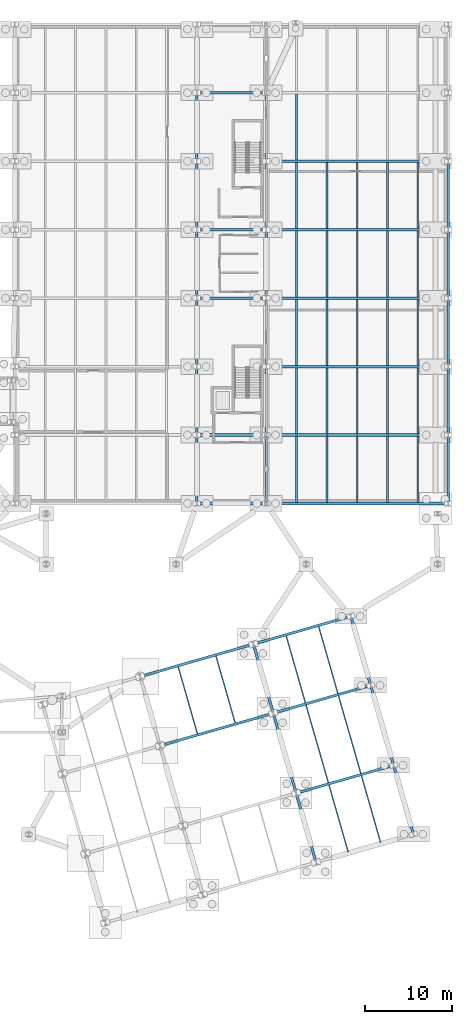
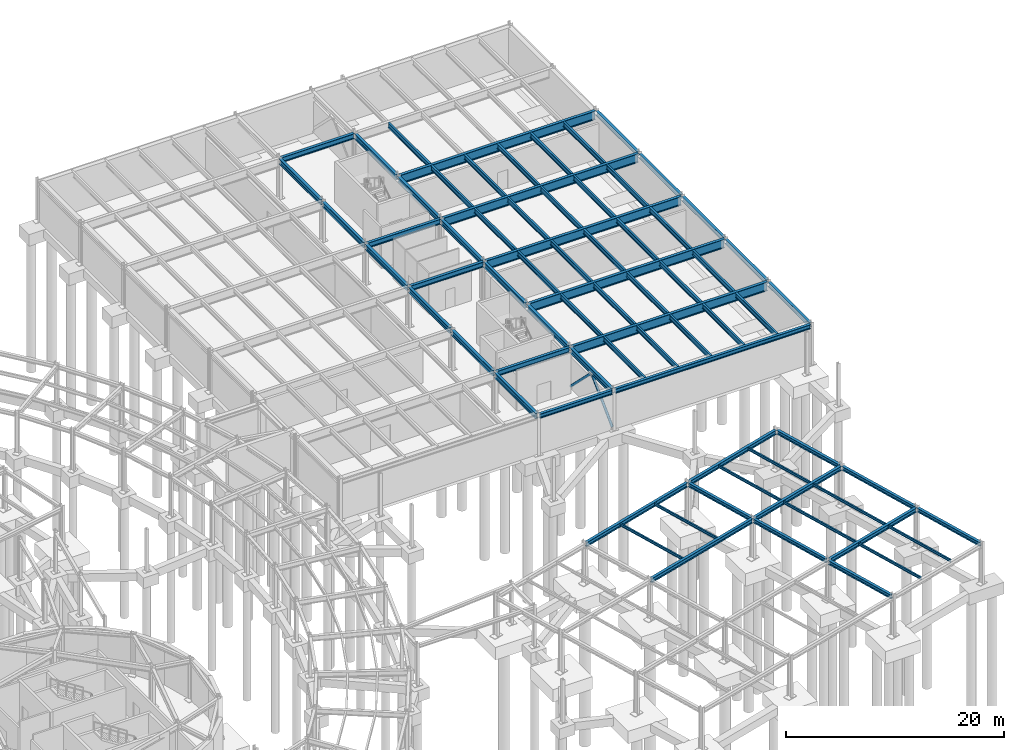
# One storey, part 36 of 50: 73 beams, 2 members.
"""IFC4 building model written with IfcOpenShell, lengths in metres."""

from ifc_helpers import new_model, si_unit, direction, frame, origin, origin_2d, place, context, subcontext, project, spatial, hollow_circle, i_section, extrude, material, material_profile, profile_set, type_object, element, save


model = new_model("IFC4")

# Units and contexts
model_context = context("Model", 3, precision=1e-05, world=origin(), true_north=direction((0.0, 1.0)))
body_context = subcontext(model_context, "Body", "Model", "MODEL_VIEW")
ifc_project = project(units=[si_unit("LENGTHUNIT", "METRE"), si_unit("AREAUNIT", "SQUARE_METRE"), si_unit("VOLUMEUNIT", "CUBIC_METRE"), si_unit("PLANEANGLEUNIT", "RADIAN"), si_unit("MASSUNIT", "GRAM", prefix="KILO")], contexts=[model_context])

# Site, building, storey
site_placement = place(None, origin())
site = spatial("IfcSite", under=ifc_project, at=site_placement, CompositionType="ELEMENT")
building_placement = place(site_placement, origin())
building = spatial("IfcBuilding", under=site, at=building_placement, Name="Varnklinge Art Gallery", CompositionType="ELEMENT")
storey_placement = place(building_placement, frame((0.0, 0.0, -4.800048828125)))
storey = spatial("IfcBuildingStorey", under=building, at=storey_placement, Name="B01", CompositionType="ELEMENT", Elevation=-4.800048828125)

# Beams
ifc_material_1 = material(Name="Steel S355", Category="steel")
ifc_material_profile_1 = material_profile(ifc_material_1, i_section(OverallWidth=0.300048828125, OverallDepth=1.0, WebThickness=0.01904296875, FlangeThickness=0.035888671875, FilletRadius=0.030029296875, at=origin_2d()), Name="HEB 1000")
ifc_profile_set_1 = profile_set([ifc_material_profile_1], Name="Steel S355")
beam_type_1 = type_object("IfcBeamType", Name="BM-01", PredefinedType="BEAM", material=ifc_profile_set_1)
for number, where, z_axis, x_axis, name in (
    (1, (143.5400390625, 66.10009765625, 4.050048828125), (1.0, 0.0, 0.0), (0.0, 1.0, 0.0), "B01 BM-01 BM-V1-L00-X1-2"),
    (2, (143.5400390625, 74.0, 4.050048828125), (1.0, 0.0, 0.0), (0.0, 1.0, 0.0), "B01 BM-01 BM-V1-L00-X2-2"),
    (3, (143.5400390625, 81.89990234375, 4.050048828125), (1.0, 0.0, 0.0), (0.0, 1.0, 0.0), "B01 BM-01 BM-V1-L00-X3-2"),
    (4, (143.5400390625, 89.800048828125, 4.050048828125), (1.0, 0.0, 0.0), (0.0, 1.0, 0.0), "B01 BM-01 BM-V1-L00-X4-2"),
    (5, (143.5400390625, 97.699951171875, 4.050048828125), (1.0, 0.0, 0.0), (0.0, 1.0, 0.0), "B01 BM-01 BM-V1-L00-X5-2"),
):
    element("IfcBeam", number, at=place(storey_placement, frame(where, z_axis=z_axis, x_axis=x_axis)), inside=storey, type_object=beam_type_1, Name=name, PredefinedType="BEAM", context=body_context, shape_type="SweptSolid", body=[
        extrude(i_section(OverallWidth=0.300048828125, OverallDepth=1.0, WebThickness=0.01904296875, FlangeThickness=0.035888671875, FilletRadius=0.030029296875, at=origin_2d()), origin(), (0.0, 0.0, 1.0), 20.719970703125),
    ])
ifc_material_2 = material(Name="Steel S355", Category="steel")
ifc_material_profile_2 = material_profile(ifc_material_2, i_section(OverallWidth=0.300048828125, OverallDepth=0.60009765625, WebThickness=0.015380859375, FlangeThickness=0.030029296875, FilletRadius=0.027099609375, at=origin_2d()), Name="HEB 600")
ifc_profile_set_2 = profile_set([ifc_material_profile_2], Name="Steel S355")
beam_type_2 = type_object("IfcBeamType", Name="BM-05", PredefinedType="BEAM", material=ifc_profile_set_2)
beam_1_placement = place(storey_placement, frame((135.39990234375, 58.340087890625, 4.25), z_axis=(0.0, 1.0, 0.0), x_axis=(-1.0, 0.0, 0.0)))
element("IfcBeam", 6, at=beam_1_placement, inside=storey, type_object=beam_type_2, Name="B01 BM-05 BM-V1-L00-Y1-0", PredefinedType="BEAM", context=body_context, shape_type="SweptSolid", body=[
    extrude(i_section(OverallWidth=0.300048828125, OverallDepth=0.60009765625, WebThickness=0.015380859375, FlangeThickness=0.030029296875, FilletRadius=0.027099609375, at=origin_2d()), origin(), (0.0, 0.0, 1.0), 7.619873046875),
])
for number, where, z_axis, x_axis, name in (
    (7, (135.39990234375, 66.239990234375, 4.25), (0.0, 1.0, 0.0), (-1.0, 0.0, 0.0), "B01 BM-05 BM-V1-L00-Y1-1"),
    (8, (135.39990234375, 74.139892578125, 4.25), (0.0, 1.0, 0.0), (-1.0, 0.0, 0.0), "B01 BM-05 BM-V1-L00-Y1-2"),
):
    element("IfcBeam", number, at=place(storey_placement, frame(where, z_axis=z_axis, x_axis=x_axis)), inside=storey, type_object=beam_type_2, Name=name, PredefinedType="BEAM", context=body_context, shape_type="SweptSolid", body=[
        extrude(i_section(OverallWidth=0.300048828125, OverallDepth=0.60009765625, WebThickness=0.015380859375, FlangeThickness=0.030029296875, FilletRadius=0.027099609375, at=origin_2d()), origin(), (0.0, 0.0, 1.0), 7.6201171875),
    ])
beam_2_placement = place(storey_placement, frame((135.39990234375, 82.0400390625, 4.25), z_axis=(0.0, 1.0, 0.0), x_axis=(-1.0, 0.0, 0.0)))
element("IfcBeam", 9, at=beam_2_placement, inside=storey, type_object=beam_type_2, Name="B01 BM-05 BM-V1-L00-Y1-3", PredefinedType="BEAM", context=body_context, shape_type="SweptSolid", body=[
    extrude(i_section(OverallWidth=0.300048828125, OverallDepth=0.60009765625, WebThickness=0.015380859375, FlangeThickness=0.030029296875, FilletRadius=0.027099609375, at=origin_2d()), origin(), (0.0, 0.0, 1.0), 7.619873046875),
])
beam_3_placement = place(storey_placement, frame((135.39990234375, 89.93994140625, 4.25), z_axis=(0.0, 1.0, 0.0), x_axis=(-1.0, 0.0, 0.0)))
element("IfcBeam", 10, at=beam_3_placement, inside=storey, type_object=beam_type_2, Name="B01 BM-05 BM-V1-L00-Y1-4", PredefinedType="BEAM", context=body_context, shape_type="SweptSolid", body=[
    extrude(i_section(OverallWidth=0.300048828125, OverallDepth=0.60009765625, WebThickness=0.015380859375, FlangeThickness=0.030029296875, FilletRadius=0.027099609375, at=origin_2d()), origin(), (0.0, 0.0, 1.0), 7.6201171875),
])
for number, where, z_axis, x_axis, name in (
    (11, (135.39990234375, 97.840087890625, 4.25), (0.0, 1.0, 0.0), (-1.0, 0.0, 0.0), "B01 BM-05 BM-V1-L00-Y1-5"),
    (12, (143.39990234375, 58.340087890625, 4.25), (0.0, 1.0, 0.0), (-1.0, 0.0, 0.0), "B01 BM-05 BM-V1-L00-Y2-0"),
):
    element("IfcBeam", number, at=place(storey_placement, frame(where, z_axis=z_axis, x_axis=x_axis)), inside=storey, type_object=beam_type_2, Name=name, PredefinedType="BEAM", context=body_context, shape_type="SweptSolid", body=[
        extrude(i_section(OverallWidth=0.300048828125, OverallDepth=0.60009765625, WebThickness=0.015380859375, FlangeThickness=0.030029296875, FilletRadius=0.027099609375, at=origin_2d()), origin(), (0.0, 0.0, 1.0), 7.619873046875),
    ])
for number, where, z_axis, x_axis, name in (
    (13, (143.39990234375, 66.239990234375, 4.25), (0.0, 1.0, 0.0), (-1.0, 0.0, 0.0), "B01 BM-05 BM-V1-L00-Y2-1"),
    (14, (143.39990234375, 74.139892578125, 4.25), (0.0, 1.0, 0.0), (-1.0, 0.0, 0.0), "B01 BM-05 BM-V1-L00-Y2-2"),
):
    element("IfcBeam", number, at=place(storey_placement, frame(where, z_axis=z_axis, x_axis=x_axis)), inside=storey, type_object=beam_type_2, Name=name, PredefinedType="BEAM", context=body_context, shape_type="SweptSolid", body=[
        extrude(i_section(OverallWidth=0.300048828125, OverallDepth=0.60009765625, WebThickness=0.015380859375, FlangeThickness=0.030029296875, FilletRadius=0.027099609375, at=origin_2d()), origin(), (0.0, 0.0, 1.0), 7.6201171875),
    ])
beam_4_placement = place(storey_placement, frame((143.39990234375, 82.0400390625, 4.25), z_axis=(0.0, 1.0, 0.0), x_axis=(-1.0, 0.0, 0.0)))
element("IfcBeam", 15, at=beam_4_placement, inside=storey, type_object=beam_type_2, Name="B01 BM-05 BM-V1-L00-Y2-3", PredefinedType="BEAM", context=body_context, shape_type="SweptSolid", body=[
    extrude(i_section(OverallWidth=0.300048828125, OverallDepth=0.60009765625, WebThickness=0.015380859375, FlangeThickness=0.030029296875, FilletRadius=0.027099609375, at=origin_2d()), origin(), (0.0, 0.0, 1.0), 7.619873046875),
])
beam_5_placement = place(storey_placement, frame((143.39990234375, 89.93994140625, 4.25), z_axis=(0.0, 1.0, 0.0), x_axis=(-1.0, 0.0, 0.0)))
element("IfcBeam", 16, at=beam_5_placement, inside=storey, type_object=beam_type_2, Name="B01 BM-05 BM-V1-L00-Y2-4", PredefinedType="BEAM", context=body_context, shape_type="SweptSolid", body=[
    extrude(i_section(OverallWidth=0.300048828125, OverallDepth=0.60009765625, WebThickness=0.015380859375, FlangeThickness=0.030029296875, FilletRadius=0.027099609375, at=origin_2d()), origin(), (0.0, 0.0, 1.0), 7.6201171875),
])
beam_6_placement = place(storey_placement, frame((143.39990234375, 97.840087890625, 4.25), z_axis=(0.0, 1.0, 0.0), x_axis=(-1.0, 0.0, 0.0)))
element("IfcBeam", 17, at=beam_6_placement, inside=storey, type_object=beam_type_2, Name="B01 BM-05 BM-V1-L00-Y2-5", PredefinedType="BEAM", context=body_context, shape_type="SweptSolid", body=[
    extrude(i_section(OverallWidth=0.300048828125, OverallDepth=0.60009765625, WebThickness=0.015380859375, FlangeThickness=0.030029296875, FilletRadius=0.027099609375, at=origin_2d()), origin(), (0.0, 0.0, 1.0), 7.619873046875),
])
ifc_material_3 = material(Name="Steel S355", Category="steel")
ifc_material_profile_3 = material_profile(ifc_material_3, i_section(OverallWidth=0.300048828125, OverallDepth=0.590087890625, WebThickness=0.012939453125, FlangeThickness=0.02490234375, FilletRadius=0.027099609375, at=origin_2d()), Name="HEA 600")
ifc_profile_set_3 = profile_set([ifc_material_profile_3], Name="Steel S355")
beam_type_3 = type_object("IfcBeamType", Name="BM-06", PredefinedType="BEAM", material=ifc_profile_set_3)
for number, where, z_axis, x_axis, name in (
    (18, (135.5400390625, 66.10009765625, 4.255126953125), (1.0, 0.0, 0.0), (0.0, 1.0, 0.0), "B01 BM-06 BM-V1-L00-X1-1"),
    (19, (135.5400390625, 81.89990234375, 4.255126953125), (1.0, 0.0, 0.0), (0.0, 1.0, 0.0), "B01 BM-06 BM-V1-L00-X3-1"),
    (20, (135.5400390625, 89.800048828125, 4.255126953125), (1.0, 0.0, 0.0), (0.0, 1.0, 0.0), "B01 BM-06 BM-V1-L00-X4-1"),
    (21, (135.5400390625, 105.60009765625, 4.255126953125), (1.0, 0.0, 0.0), (0.0, 1.0, 0.0), "B01 BM-06 BM-V1-L00-X6-1"),
):
    element("IfcBeam", number, at=place(storey_placement, frame(where, z_axis=z_axis, x_axis=x_axis)), inside=storey, type_object=beam_type_3, Name=name, PredefinedType="BEAM", context=body_context, shape_type="SweptSolid", body=[
        extrude(i_section(OverallWidth=0.300048828125, OverallDepth=0.590087890625, WebThickness=0.012939453125, FlangeThickness=0.02490234375, FilletRadius=0.027099609375, at=origin_2d()), origin(), (0.0, 0.0, 1.0), 7.719970703125),
    ])
ifc_material_4 = material(Name="Steel S355", Category="steel")
ifc_material_profile_4 = material_profile(ifc_material_4, i_section(OverallWidth=0.300048828125, OverallDepth=0.489990234375, WebThickness=0.011962890625, FlangeThickness=0.02294921875, FilletRadius=0.027099609375, at=origin_2d()), Name="HEA 500")
ifc_profile_set_4 = profile_set([ifc_material_profile_4], Name="Steel S355")
beam_type_4 = type_object("IfcBeamType", Name="BM-07", PredefinedType="BEAM", material=ifc_profile_set_4)
beam_7_placement = place(storey_placement, frame((146.994140625, 24.798828125, 4.304931640625), z_axis=(0.961262939416, 0.275633019257, 0.0), x_axis=(-0.275633019257, 0.961262939416, 0.0)))
element("IfcBeam", 22, at=beam_7_placement, inside=storey, type_object=beam_type_4, Name="B01 BM-07 BM-V6-L00-U1-2", PredefinedType="BEAM", context=body_context, shape_type="SweptSolid", body=[
    extrude(i_section(OverallWidth=0.300048828125, OverallDepth=0.489990234375, WebThickness=0.011962890625, FlangeThickness=0.02294921875, FilletRadius=0.027099609375, at=origin_2d()), origin(), (0.0, 0.0, 1.0), 11.419921875),
])
beam_8_placement = place(storey_placement, frame((131.27490234375, 30.2783203125, 4.304931640625), z_axis=(0.961263452766, 0.275631228958, 0.0), x_axis=(-0.275631228958, 0.961263452766, 0.0)))
element("IfcBeam", 23, at=beam_8_placement, inside=storey, type_object=beam_type_4, Name="B01 BM-07 BM-V6-L00-U2-1", PredefinedType="BEAM", context=body_context, shape_type="SweptSolid", body=[
    extrude(i_section(OverallWidth=0.300048828125, OverallDepth=0.489990234375, WebThickness=0.011962890625, FlangeThickness=0.02294921875, FilletRadius=0.027099609375, at=origin_2d()), origin(), (0.0, 0.0, 1.0), 13.31982421875),
])
beam_9_placement = place(storey_placement, frame((144.34814453125, 34.027099609375, 4.304931640625), z_axis=(0.961262939416, 0.275633019257, 0.0), x_axis=(-0.275633019257, 0.961262939416, 0.0)))
element("IfcBeam", 24, at=beam_9_placement, inside=storey, type_object=beam_type_4, Name="B01 BM-07 BM-V6-L00-U2-2", PredefinedType="BEAM", context=body_context, shape_type="SweptSolid", body=[
    extrude(i_section(OverallWidth=0.300048828125, OverallDepth=0.489990234375, WebThickness=0.011962890625, FlangeThickness=0.02294921875, FilletRadius=0.027099609375, at=origin_2d()), origin(), (0.0, 0.0, 1.0), 11.419921875),
])
beam_10_placement = place(storey_placement, frame((128.9873046875, 38.2568359375, 4.304931640625), z_axis=(0.961262060229, 0.275636085381, 0.0), x_axis=(-0.275636085381, 0.961262060229, 0.0)))
element("IfcBeam", 25, at=beam_10_placement, inside=storey, type_object=beam_type_4, Name="B01 BM-07 BM-V6-L00-U3-1", PredefinedType="BEAM", context=body_context, shape_type="SweptSolid", body=[
    extrude(i_section(OverallWidth=0.300048828125, OverallDepth=0.489990234375, WebThickness=0.011962890625, FlangeThickness=0.02294921875, FilletRadius=0.027099609375, at=origin_2d()), origin(), (0.0, 0.0, 1.0), 13.319580078125),
])
beam_11_placement = place(storey_placement, frame((142.060302734375, 42.005615234375, 4.304931640625), z_axis=(0.961262939416, 0.275633019257, 0.0), x_axis=(-0.275633019257, 0.961262939416, 0.0)))
element("IfcBeam", 26, at=beam_11_placement, inside=storey, type_object=beam_type_4, Name="B01 BM-07 BM-V6-L00-U3-2", PredefinedType="BEAM", context=body_context, shape_type="SweptSolid", body=[
    extrude(i_section(OverallWidth=0.300048828125, OverallDepth=0.489990234375, WebThickness=0.011962890625, FlangeThickness=0.02294921875, FilletRadius=0.027099609375, at=origin_2d()), origin(), (0.0, 0.0, 1.0), 11.419921875),
])
ifc_material_5 = material(Name="Steel S355", Category="steel")
ifc_material_profile_5 = material_profile(ifc_material_5, i_section(OverallWidth=0.300048828125, OverallDepth=0.43994140625, WebThickness=0.011474609375, FlangeThickness=0.02099609375, FilletRadius=0.027099609375, at=origin_2d()), Name="HEA 450")
ifc_profile_set_5 = profile_set([ifc_material_profile_5], Name="Steel S355")
beam_type_5 = type_object("IfcBeamType", Name="BM-08", PredefinedType="BEAM", material=ifc_profile_set_5)
beam_12_placement = place(storey_placement, frame((149.10888671875, 16.91650390625, 4.330078125), z_axis=(-0.275649759333, 0.961258139201, 0.0), x_axis=(-0.961258139201, -0.275649759333, 0.0)))
element("IfcBeam", 27, at=beam_12_placement, inside=storey, type_object=beam_type_5, Name="B01 BM-08 BM-V6-L00-V2-0", PredefinedType="BEAM", context=body_context, shape_type="SweptSolid", body=[
    extrude(i_section(OverallWidth=0.300048828125, OverallDepth=0.43994140625, WebThickness=0.011474609375, FlangeThickness=0.02099609375, FilletRadius=0.027099609375, at=origin_2d()), origin(), (0.0, 0.0, 1.0), 8.02001953125),
])
beam_13_placement = place(storey_placement, frame((146.821044921875, 24.89501953125, 4.330078125), z_axis=(-0.275634404399, 0.961262542239, 0.0), x_axis=(-0.961262542239, -0.275634404399, 0.0)))
element("IfcBeam", 28, at=beam_13_placement, inside=storey, type_object=beam_type_5, Name="B01 BM-08 BM-V6-L00-V2-1", PredefinedType="BEAM", context=body_context, shape_type="SweptSolid", body=[
    extrude(i_section(OverallWidth=0.300048828125, OverallDepth=0.43994140625, WebThickness=0.011474609375, FlangeThickness=0.02099609375, FilletRadius=0.027099609375, at=origin_2d()), origin(), (0.0, 0.0, 1.0), 9.31982421875),
])
beam_14_placement = place(storey_placement, frame((144.1748046875, 34.123046875, 4.330078125), z_axis=(-0.275621630307, 0.961266205016, 0.0), x_axis=(-0.961266205016, -0.275621630307, 0.0)))
element("IfcBeam", 29, at=beam_14_placement, inside=storey, type_object=beam_type_5, Name="B01 BM-08 BM-V6-L00-V2-2", PredefinedType="BEAM", context=body_context, shape_type="SweptSolid", body=[
    extrude(i_section(OverallWidth=0.300048828125, OverallDepth=0.43994140625, WebThickness=0.011474609375, FlangeThickness=0.02099609375, FilletRadius=0.027099609375, at=origin_2d()), origin(), (0.0, 0.0, 1.0), 8.019775390625),
])
beam_15_placement = place(storey_placement, frame((160.355712890625, 20.141357421875, 4.330078125), z_axis=(-0.275649759333, 0.961258139201, 0.0), x_axis=(-0.961258139201, -0.275649759333, 0.0)))
element("IfcBeam", 30, at=beam_15_placement, inside=storey, type_object=beam_type_5, Name="B01 BM-08 BM-V6-L00-V3-0", PredefinedType="BEAM", context=body_context, shape_type="SweptSolid", body=[
    extrude(i_section(OverallWidth=0.300048828125, OverallDepth=0.43994140625, WebThickness=0.011474609375, FlangeThickness=0.02099609375, FilletRadius=0.027099609375, at=origin_2d()), origin(), (0.0, 0.0, 1.0), 8.02001953125),
])
beam_16_placement = place(storey_placement, frame((158.06787109375, 28.119873046875, 4.330078125), z_axis=(-0.275658609922, 0.961255601168, 0.0), x_axis=(-0.961255601168, -0.275658609922, 0.0)))
element("IfcBeam", 31, at=beam_16_placement, inside=storey, type_object=beam_type_5, Name="B01 BM-08 BM-V6-L00-V3-1", PredefinedType="BEAM", context=body_context, shape_type="SweptSolid", body=[
    extrude(i_section(OverallWidth=0.300048828125, OverallDepth=0.43994140625, WebThickness=0.011474609375, FlangeThickness=0.02099609375, FilletRadius=0.027099609375, at=origin_2d()), origin(), (0.0, 0.0, 1.0), 9.31982421875),
])
beam_17_placement = place(storey_placement, frame((155.421630859375, 37.347900390625, 4.330078125), z_axis=(-0.275621630307, 0.961266205016, 0.0), x_axis=(-0.961266205016, -0.275621630307, 0.0)))
element("IfcBeam", 32, at=beam_17_placement, inside=storey, type_object=beam_type_5, Name="B01 BM-08 BM-V6-L00-V3-2", PredefinedType="BEAM", context=body_context, shape_type="SweptSolid", body=[
    extrude(i_section(OverallWidth=0.300048828125, OverallDepth=0.43994140625, WebThickness=0.011474609375, FlangeThickness=0.02099609375, FilletRadius=0.027099609375, at=origin_2d()), origin(), (0.0, 0.0, 1.0), 8.019775390625),
])

# Members
ifc_material_6 = material(Name="Steel S355", Category="steel")
ifc_material_profile_6 = material_profile(ifc_material_6, hollow_circle(Radius=0.136474609375, WallThickness=0.012451171875, at=origin_2d()), Name="CHS 273x12.5")
ifc_profile_set_6 = profile_set([ifc_material_profile_6], Name="Steel S355")
member_type = type_object("IfcMemberType", Name="BRC-01", PredefinedType="BRACE", material=ifc_profile_set_6)
member_1_placement = place(storey_placement, frame((143.39990234375, 58.360107421875, 0.199951171875), z_axis=(0.0, 0.710828979169, 0.703364885656), x_axis=(-1.0, 0.0, 0.0)))
element("IfcMember", 33, at=member_1_placement, inside=storey, type_object=member_type, Name="B01 Braced Frame V1E-B0 Diagonal A", PredefinedType="BRACE", context=body_context, shape_type="SweptSolid", body=[
    extrude(hollow_circle(Radius=0.136474609375, WallThickness=0.012451171875, at=origin_2d()), origin(), (0.0, 0.0, 1.0), 5.33154296875),
])
member_2_placement = place(storey_placement, frame((143.39990234375, 65.93994140625, 0.199951171875), z_axis=(0.0, -0.710851632373, 0.703341991319), x_axis=(1.0, 0.0, 0.0)))
element("IfcMember", 34, at=member_2_placement, inside=storey, type_object=member_type, Name="B01 Braced Frame V1E-B0 Diagonal B", PredefinedType="BRACE", context=body_context, shape_type="SweptSolid", body=[
    extrude(hollow_circle(Radius=0.136474609375, WallThickness=0.012451171875, at=origin_2d()), origin(), (0.0, 0.0, 1.0), 5.331787109375),
])

# Beams
ifc_material_7 = material(Name="Steel S355", Category="steel")
ifc_material_profile_7 = material_profile(ifc_material_7, i_section(OverallWidth=0.2099609375, OverallDepth=0.550048828125, WebThickness=0.010986328125, FlangeThickness=0.01708984375, FilletRadius=0.02392578125, at=origin_2d()), Name="IPE 550")
ifc_profile_set_7 = profile_set([ifc_material_profile_7], Name="Steel S355")
beam_type_6 = type_object("IfcBeamType", Name="JST-02", PredefinedType="JOIST", material=ifc_profile_set_7)
for number, where, z_axis, x_axis, name in (
    (35, (146.89990234375, 58.340087890625, 4.275146484375), (0.0, 1.0, 0.0), (-1.0, 0.0, 0.0), "B01 JST-02 JST-V1-L00-0-1-1"),
    (36, (150.39990234375, 58.340087890625, 4.275146484375), (0.0, 1.0, 0.0), (-1.0, 0.0, 0.0), "B01 JST-02 JST-V1-L00-0-1-2"),
    (37, (153.89990234375, 58.340087890625, 4.275146484375), (0.0, 1.0, 0.0), (-1.0, 0.0, 0.0), "B01 JST-02 JST-V1-L00-0-1-3"),
    (38, (157.39990234375, 58.340087890625, 4.275146484375), (0.0, 1.0, 0.0), (-1.0, 0.0, 0.0), "B01 JST-02 JST-V1-L00-0-1-4"),
    (39, (160.89990234375, 58.340087890625, 4.275146484375), (0.0, 1.0, 0.0), (-1.0, 0.0, 0.0), "B01 JST-02 JST-V1-L00-0-1-5"),
):
    element("IfcBeam", number, at=place(storey_placement, frame(where, z_axis=z_axis, x_axis=x_axis)), inside=storey, type_object=beam_type_6, Name=name, PredefinedType="JOIST", context=body_context, shape_type="SweptSolid", body=[
        extrude(i_section(OverallWidth=0.2099609375, OverallDepth=0.550048828125, WebThickness=0.010986328125, FlangeThickness=0.01708984375, FilletRadius=0.02392578125, at=origin_2d()), origin(), (0.0, 0.0, 1.0), 7.619873046875),
    ])
for number, where, z_axis, x_axis, name in (
    (40, (146.89990234375, 66.239990234375, 4.275146484375), (0.0, 1.0, 0.0), (-1.0, 0.0, 0.0), "B01 JST-02 JST-V1-L00-1-1-1"),
    (41, (150.39990234375, 66.239990234375, 4.275146484375), (0.0, 1.0, 0.0), (-1.0, 0.0, 0.0), "B01 JST-02 JST-V1-L00-1-1-2"),
    (42, (153.89990234375, 66.239990234375, 4.275146484375), (0.0, 1.0, 0.0), (-1.0, 0.0, 0.0), "B01 JST-02 JST-V1-L00-1-1-3"),
    (43, (157.39990234375, 66.239990234375, 4.275146484375), (0.0, 1.0, 0.0), (-1.0, 0.0, 0.0), "B01 JST-02 JST-V1-L00-1-1-4"),
    (44, (160.89990234375, 66.239990234375, 4.275146484375), (0.0, 1.0, 0.0), (-1.0, 0.0, 0.0), "B01 JST-02 JST-V1-L00-1-1-5"),
    (45, (146.89990234375, 74.139892578125, 4.275146484375), (0.0, 1.0, 0.0), (-1.0, 0.0, 0.0), "B01 JST-02 JST-V1-L00-2-1-1"),
    (46, (150.39990234375, 74.139892578125, 4.275146484375), (0.0, 1.0, 0.0), (-1.0, 0.0, 0.0), "B01 JST-02 JST-V1-L00-2-1-2"),
    (47, (153.89990234375, 74.139892578125, 4.275146484375), (0.0, 1.0, 0.0), (-1.0, 0.0, 0.0), "B01 JST-02 JST-V1-L00-2-1-3"),
    (48, (157.39990234375, 74.139892578125, 4.275146484375), (0.0, 1.0, 0.0), (-1.0, 0.0, 0.0), "B01 JST-02 JST-V1-L00-2-1-4"),
    (49, (160.89990234375, 74.139892578125, 4.275146484375), (0.0, 1.0, 0.0), (-1.0, 0.0, 0.0), "B01 JST-02 JST-V1-L00-2-1-5"),
):
    element("IfcBeam", number, at=place(storey_placement, frame(where, z_axis=z_axis, x_axis=x_axis)), inside=storey, type_object=beam_type_6, Name=name, PredefinedType="JOIST", context=body_context, shape_type="SweptSolid", body=[
        extrude(i_section(OverallWidth=0.2099609375, OverallDepth=0.550048828125, WebThickness=0.010986328125, FlangeThickness=0.01708984375, FilletRadius=0.02392578125, at=origin_2d()), origin(), (0.0, 0.0, 1.0), 7.6201171875),
    ])
for number, where, z_axis, x_axis, name in (
    (50, (146.89990234375, 82.0400390625, 4.275146484375), (0.0, 1.0, 0.0), (-1.0, 0.0, 0.0), "B01 JST-02 JST-V1-L00-3-1-1"),
    (51, (150.39990234375, 82.0400390625, 4.275146484375), (0.0, 1.0, 0.0), (-1.0, 0.0, 0.0), "B01 JST-02 JST-V1-L00-3-1-2"),
    (52, (153.89990234375, 82.0400390625, 4.275146484375), (0.0, 1.0, 0.0), (-1.0, 0.0, 0.0), "B01 JST-02 JST-V1-L00-3-1-3"),
    (53, (157.39990234375, 82.0400390625, 4.275146484375), (0.0, 1.0, 0.0), (-1.0, 0.0, 0.0), "B01 JST-02 JST-V1-L00-3-1-4"),
    (54, (160.89990234375, 82.0400390625, 4.275146484375), (0.0, 1.0, 0.0), (-1.0, 0.0, 0.0), "B01 JST-02 JST-V1-L00-3-1-5"),
):
    element("IfcBeam", number, at=place(storey_placement, frame(where, z_axis=z_axis, x_axis=x_axis)), inside=storey, type_object=beam_type_6, Name=name, PredefinedType="JOIST", context=body_context, shape_type="SweptSolid", body=[
        extrude(i_section(OverallWidth=0.2099609375, OverallDepth=0.550048828125, WebThickness=0.010986328125, FlangeThickness=0.01708984375, FilletRadius=0.02392578125, at=origin_2d()), origin(), (0.0, 0.0, 1.0), 7.619873046875),
    ])
for number, where, z_axis, x_axis, name in (
    (55, (146.89990234375, 89.93994140625, 4.275146484375), (0.0, 1.0, 0.0), (-1.0, 0.0, 0.0), "B01 JST-02 JST-V1-L00-4-1-1"),
    (56, (150.39990234375, 89.93994140625, 4.275146484375), (0.0, 1.0, 0.0), (-1.0, 0.0, 0.0), "B01 JST-02 JST-V1-L00-4-1-2"),
    (57, (153.89990234375, 89.93994140625, 4.275146484375), (0.0, 1.0, 0.0), (-1.0, 0.0, 0.0), "B01 JST-02 JST-V1-L00-4-1-3"),
    (58, (157.39990234375, 89.93994140625, 4.275146484375), (0.0, 1.0, 0.0), (-1.0, 0.0, 0.0), "B01 JST-02 JST-V1-L00-4-1-4"),
    (59, (160.89990234375, 89.93994140625, 4.275146484375), (0.0, 1.0, 0.0), (-1.0, 0.0, 0.0), "B01 JST-02 JST-V1-L00-4-1-5"),
):
    element("IfcBeam", number, at=place(storey_placement, frame(where, z_axis=z_axis, x_axis=x_axis)), inside=storey, type_object=beam_type_6, Name=name, PredefinedType="JOIST", context=body_context, shape_type="SweptSolid", body=[
        extrude(i_section(OverallWidth=0.2099609375, OverallDepth=0.550048828125, WebThickness=0.010986328125, FlangeThickness=0.01708984375, FilletRadius=0.02392578125, at=origin_2d()), origin(), (0.0, 0.0, 1.0), 7.6201171875),
    ])
beam_18_placement = place(storey_placement, frame((146.89990234375, 97.840087890625, 4.275146484375), z_axis=(0.0, 1.0, 0.0), x_axis=(-1.0, 0.0, 0.0)))
element("IfcBeam", 60, at=beam_18_placement, inside=storey, type_object=beam_type_6, Name="B01 JST-02 JST-V1-L00-5-1-1", PredefinedType="JOIST", context=body_context, shape_type="SweptSolid", body=[
    extrude(i_section(OverallWidth=0.2099609375, OverallDepth=0.550048828125, WebThickness=0.010986328125, FlangeThickness=0.01708984375, FilletRadius=0.02392578125, at=origin_2d()), origin(), (0.0, 0.0, 1.0), 7.619873046875),
])
ifc_material_8 = material(Name="Steel S355", Category="steel")
ifc_material_profile_8 = material_profile(ifc_material_8, i_section(OverallWidth=0.14990234375, OverallDepth=0.300048828125, WebThickness=0.007080078125, FlangeThickness=0.0107421875, FilletRadius=0.014892578125, at=origin_2d()), Name="IPE 300")
ifc_profile_set_8 = profile_set([ifc_material_profile_8], Name="Steel S355")
beam_type_7 = type_object("IfcBeamType", Name="JST-08", PredefinedType="JOIST", material=ifc_profile_set_8)
beam_19_placement = place(storey_placement, frame((135.45947265625, 31.623779296875, 4.400146484375), z_axis=(-0.2756416934, 0.961260452146, 0.0), x_axis=(-0.961260452146, -0.2756416934, 0.0)))
element("IfcBeam", 61, at=beam_19_placement, inside=storey, type_object=beam_type_7, Name="B01 JST-08 JST-V6-L00-1-2-1", PredefinedType="JOIST", context=body_context, shape_type="SweptSolid", body=[
    extrude(i_section(OverallWidth=0.14990234375, OverallDepth=0.300048828125, WebThickness=0.007080078125, FlangeThickness=0.0107421875, FilletRadius=0.014892578125, at=origin_2d()), origin(), (0.0, 0.0, 1.0), 8.020263671875),
])
beam_20_placement = place(storey_placement, frame((139.817138671875, 32.873291015625, 4.400146484375), z_axis=(-0.275613565062, 0.961268517509, 0.0), x_axis=(-0.961268517509, -0.275613565062, 0.0)))
element("IfcBeam", 62, at=beam_20_placement, inside=storey, type_object=beam_type_7, Name="B01 JST-08 JST-V6-L00-1-2-2", PredefinedType="JOIST", context=body_context, shape_type="SweptSolid", body=[
    extrude(i_section(OverallWidth=0.14990234375, OverallDepth=0.300048828125, WebThickness=0.007080078125, FlangeThickness=0.0107421875, FilletRadius=0.014892578125, at=origin_2d()), origin(), (0.0, 0.0, 1.0), 8.02001953125),
])
beam_21_placement = place(storey_placement, frame((152.857666015625, 17.991455078125, 4.400146484375), z_axis=(-0.275621630307, 0.961266205016, 0.0), x_axis=(-0.961266205016, -0.275621630307, 0.0)))
element("IfcBeam", 63, at=beam_21_placement, inside=storey, type_object=beam_type_7, Name="B01 JST-08 JST-V6-L00-2-0-1", PredefinedType="JOIST", context=body_context, shape_type="SweptSolid", body=[
    extrude(i_section(OverallWidth=0.14990234375, OverallDepth=0.300048828125, WebThickness=0.007080078125, FlangeThickness=0.0107421875, FilletRadius=0.014892578125, at=origin_2d()), origin(), (0.0, 0.0, 1.0), 8.019775390625),
])
beam_22_placement = place(storey_placement, frame((156.606689453125, 19.06640625, 4.400146484375), z_axis=(-0.275649759333, 0.961258139201, 0.0), x_axis=(-0.961258139201, -0.275649759333, 0.0)))
element("IfcBeam", 64, at=beam_22_placement, inside=storey, type_object=beam_type_7, Name="B01 JST-08 JST-V6-L00-2-0-2", PredefinedType="JOIST", context=body_context, shape_type="SweptSolid", body=[
    extrude(i_section(OverallWidth=0.14990234375, OverallDepth=0.300048828125, WebThickness=0.007080078125, FlangeThickness=0.0107421875, FilletRadius=0.014892578125, at=origin_2d()), origin(), (0.0, 0.0, 1.0), 8.02001953125),
])
for number, where, z_axis, x_axis, name in (
    (65, (150.56982421875, 25.9697265625, 4.400146484375), (-0.27562746375, 0.961264532388, 0.0), (-0.961264532388, -0.27562746375, 0.0), "B01 JST-08 JST-V6-L00-2-1-1"),
    (66, (154.31884765625, 27.044921875, 4.400146484375), (-0.27562746375, 0.961264532388, 0.0), (-0.961264532388, -0.27562746375, 0.0), "B01 JST-08 JST-V6-L00-2-1-2"),
):
    element("IfcBeam", number, at=place(storey_placement, frame(where, z_axis=z_axis, x_axis=x_axis)), inside=storey, type_object=beam_type_7, Name=name, PredefinedType="JOIST", context=body_context, shape_type="SweptSolid", body=[
        extrude(i_section(OverallWidth=0.14990234375, OverallDepth=0.300048828125, WebThickness=0.007080078125, FlangeThickness=0.0107421875, FilletRadius=0.014892578125, at=origin_2d()), origin(), (0.0, 0.0, 1.0), 9.320068359375),
    ])
beam_23_placement = place(storey_placement, frame((147.923828125, 35.197998046875, 4.400146484375), z_axis=(-0.275649759333, 0.961258139201, 0.0), x_axis=(-0.961258139201, -0.275649759333, 0.0)))
element("IfcBeam", 67, at=beam_23_placement, inside=storey, type_object=beam_type_7, Name="B01 JST-08 JST-V6-L00-2-2-1", PredefinedType="JOIST", context=body_context, shape_type="SweptSolid", body=[
    extrude(i_section(OverallWidth=0.14990234375, OverallDepth=0.300048828125, WebThickness=0.007080078125, FlangeThickness=0.0107421875, FilletRadius=0.014892578125, at=origin_2d()), origin(), (0.0, 0.0, 1.0), 8.02001953125),
])
beam_24_placement = place(storey_placement, frame((151.6728515625, 36.27294921875, 4.400146484375), z_axis=(-0.2756416934, 0.961260452146, 0.0), x_axis=(-0.961260452146, -0.2756416934, 0.0)))
element("IfcBeam", 68, at=beam_24_placement, inside=storey, type_object=beam_type_7, Name="B01 JST-08 JST-V6-L00-2-2-2", PredefinedType="JOIST", context=body_context, shape_type="SweptSolid", body=[
    extrude(i_section(OverallWidth=0.14990234375, OverallDepth=0.300048828125, WebThickness=0.007080078125, FlangeThickness=0.0107421875, FilletRadius=0.014892578125, at=origin_2d()), origin(), (0.0, 0.0, 1.0), 8.020263671875),
])
ifc_material_9 = material(Name="Steel S355", Category="steel")
ifc_material_profile_9 = material_profile(ifc_material_9, i_section(OverallWidth=0.300048828125, OverallDepth=0.489990234375, WebThickness=0.011962890625, FlangeThickness=0.02294921875, FilletRadius=0.027099609375, at=origin_2d()), Name="HEA 500")
ifc_profile_set_9 = profile_set([ifc_material_profile_9], Name="Steel S355")
beam_type_8 = type_object("IfcBeamType", Name="SPB-01", PredefinedType="SPANDREL", material=ifc_profile_set_9)
beam_25_placement = place(storey_placement, frame((135.5400390625, 58.199951171875, 4.304931640625), z_axis=(1.0, 0.0, 0.0), x_axis=(0.0, 1.0, 0.0)))
element("IfcBeam", 69, at=beam_25_placement, inside=storey, type_object=beam_type_8, Name="B01 SPB-01 BM-V1-L00-X0-1", PredefinedType="SPANDREL", context=body_context, shape_type="SweptSolid", body=[
    extrude(i_section(OverallWidth=0.300048828125, OverallDepth=0.489990234375, WebThickness=0.011962890625, FlangeThickness=0.02294921875, FilletRadius=0.027099609375, at=origin_2d()), origin(), (0.0, 0.0, 1.0), 7.719970703125),
])
beam_26_placement = place(storey_placement, frame((143.5400390625, 58.199951171875, 4.304931640625), z_axis=(1.0, 0.0, 0.0), x_axis=(0.0, 1.0, 0.0)))
element("IfcBeam", 70, at=beam_26_placement, inside=storey, type_object=beam_type_8, Name="B01 SPB-01 BM-V1-L00-X0-2", PredefinedType="SPANDREL", context=body_context, shape_type="SweptSolid", body=[
    extrude(i_section(OverallWidth=0.300048828125, OverallDepth=0.489990234375, WebThickness=0.011962890625, FlangeThickness=0.02294921875, FilletRadius=0.027099609375, at=origin_2d()), origin(), (0.0, 0.0, 1.0), 20.719970703125),
])
beam_27_placement = place(storey_placement, frame((164.39990234375, 58.340087890625, 4.304931640625), z_axis=(0.0, 1.0, 0.0), x_axis=(-1.0, 0.0, 0.0)))
element("IfcBeam", 71, at=beam_27_placement, inside=storey, type_object=beam_type_8, Name="B01 SPB-01 BM-V1-L00-Y3-0", PredefinedType="SPANDREL", context=body_context, shape_type="SweptSolid", body=[
    extrude(i_section(OverallWidth=0.300048828125, OverallDepth=0.489990234375, WebThickness=0.011962890625, FlangeThickness=0.02294921875, FilletRadius=0.027099609375, at=origin_2d()), origin(), (0.0, 0.0, 1.0), 7.619873046875),
])
for number, where, z_axis, x_axis, name in (
    (72, (164.39990234375, 66.239990234375, 4.304931640625), (0.0, 1.0, 0.0), (-1.0, 0.0, 0.0), "B01 SPB-01 BM-V1-L00-Y3-1"),
    (73, (164.39990234375, 74.139892578125, 4.304931640625), (0.0, 1.0, 0.0), (-1.0, 0.0, 0.0), "B01 SPB-01 BM-V1-L00-Y3-2"),
):
    element("IfcBeam", number, at=place(storey_placement, frame(where, z_axis=z_axis, x_axis=x_axis)), inside=storey, type_object=beam_type_8, Name=name, PredefinedType="SPANDREL", context=body_context, shape_type="SweptSolid", body=[
        extrude(i_section(OverallWidth=0.300048828125, OverallDepth=0.489990234375, WebThickness=0.011962890625, FlangeThickness=0.02294921875, FilletRadius=0.027099609375, at=origin_2d()), origin(), (0.0, 0.0, 1.0), 7.6201171875),
    ])
beam_28_placement = place(storey_placement, frame((164.39990234375, 82.0400390625, 4.304931640625), z_axis=(0.0, 1.0, 0.0), x_axis=(-1.0, 0.0, 0.0)))
element("IfcBeam", 74, at=beam_28_placement, inside=storey, type_object=beam_type_8, Name="B01 SPB-01 BM-V1-L00-Y3-3", PredefinedType="SPANDREL", context=body_context, shape_type="SweptSolid", body=[
    extrude(i_section(OverallWidth=0.300048828125, OverallDepth=0.489990234375, WebThickness=0.011962890625, FlangeThickness=0.02294921875, FilletRadius=0.027099609375, at=origin_2d()), origin(), (0.0, 0.0, 1.0), 7.619873046875),
])
beam_29_placement = place(storey_placement, frame((164.39990234375, 89.93994140625, 4.304931640625), z_axis=(0.0, 1.0, 0.0), x_axis=(-1.0, 0.0, 0.0)))
element("IfcBeam", 75, at=beam_29_placement, inside=storey, type_object=beam_type_8, Name="B01 SPB-01 BM-V1-L00-Y3-4", PredefinedType="SPANDREL", context=body_context, shape_type="SweptSolid", body=[
    extrude(i_section(OverallWidth=0.300048828125, OverallDepth=0.489990234375, WebThickness=0.011962890625, FlangeThickness=0.02294921875, FilletRadius=0.027099609375, at=origin_2d()), origin(), (0.0, 0.0, 1.0), 7.6201171875),
])

save(model, "model.ifc")
